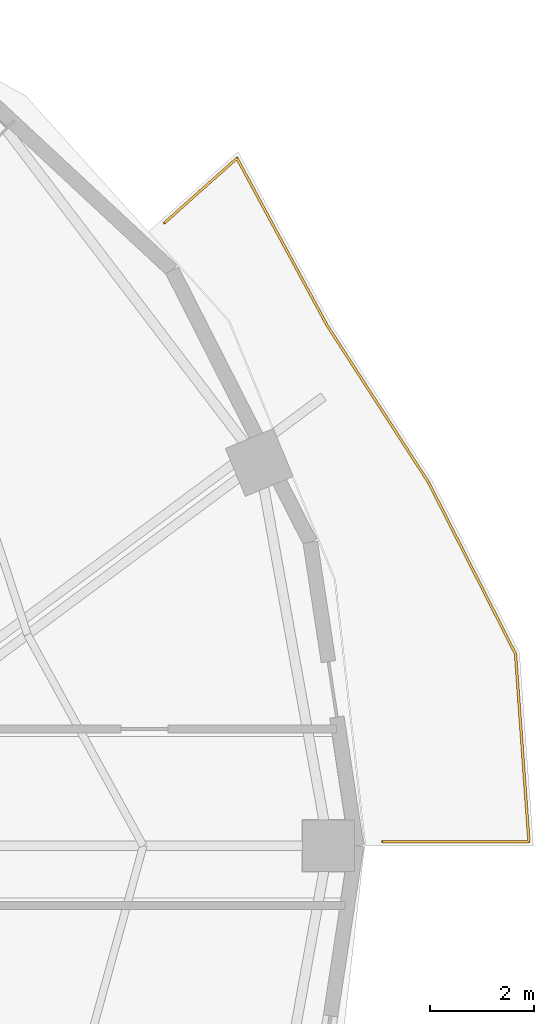
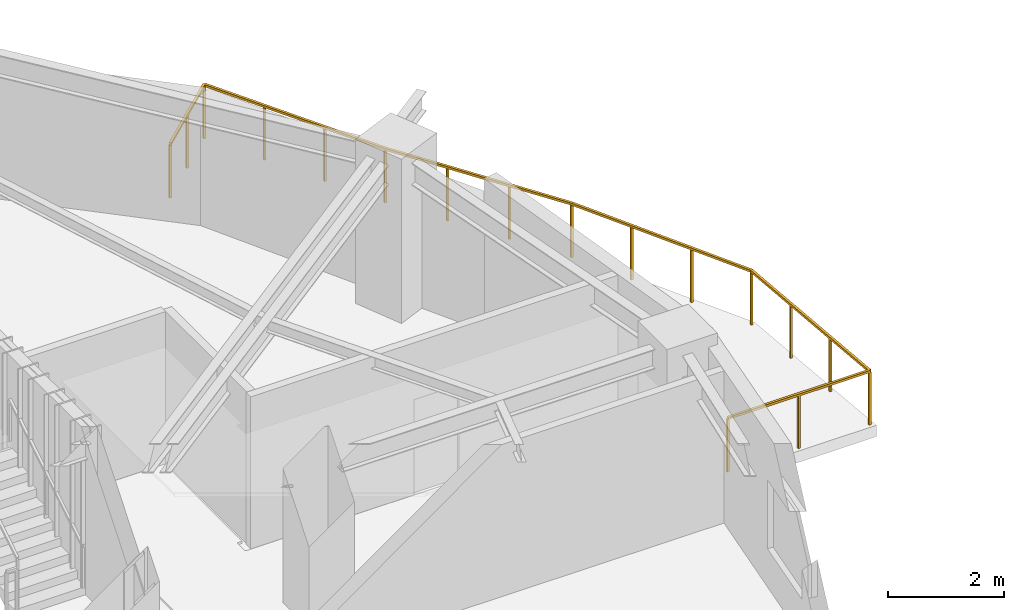
# One storey, part 10 of 10: 1 railing.
"""IFC4 building model written with IfcOpenShell, lengths in metres."""

from ifc_helpers import new_model, si_unit, direction, frame, origin, origin_2d, place, context, subcontext, project, spatial, rectangle, extrude, material, type_object, element, save


model = new_model("IFC4")

# Units and contexts
model_context = context("Model", 3, precision=1e-05, world=origin(), true_north=direction((0.0, 1.0)))
body_context = subcontext(model_context, "Body", "Model", "MODEL_VIEW")
ifc_project = project(units=[si_unit("LENGTHUNIT", "METRE"), si_unit("AREAUNIT", "SQUARE_METRE"), si_unit("VOLUMEUNIT", "CUBIC_METRE"), si_unit("PLANEANGLEUNIT", "RADIAN"), si_unit("MASSUNIT", "GRAM", prefix="KILO")], contexts=[model_context])

# Site, building, storey
site_placement = place(None, origin())
site = spatial("IfcSite", under=ifc_project, at=site_placement, CompositionType="ELEMENT")
building_placement = place(site_placement, origin())
building = spatial("IfcBuilding", under=site, at=building_placement, Name="Haldorwick Loom Tower", CompositionType="ELEMENT")
storey_placement = place(building_placement, frame((0.0, 0.0, 262.64990234375)))
storey = spatial("IfcBuildingStorey", under=building, at=storey_placement, Name="L71", CompositionType="ELEMENT", Elevation=262.64990234375)

# Railing
ifc_material = material(Name="Galvanized Steel CSA G40.21 350W", Category="steel")
railing_type = type_object("IfcRailingType", Name="ARC-RLG-BAL115", PredefinedType="BALUSTRADE", material=ifc_material)
railing_placement = place(storey_placement, frame((57.17919921875, 38.003173828125, 0.0)))
element("IfcRailing", 1, at=railing_placement, inside=storey, type_object=railing_type, Name="L71 Outdoor Terrace Guardrail SLB-L71-BAL_ENE-1", PredefinedType="BALUSTRADE", context=body_context, shape_type="SweptSolid", body=[
    extrude(rectangle(XDim=0.048095703125, YDim=0.048095703125, at=origin_2d()), frame((0.0, 0.0, 1.1259765625), z_axis=(0.745988621114, 0.665958690287, 0.0), x_axis=(-0.665958690287, 0.745988621114, 0.0)), (0.0, 0.0, 1.0), 1.8701171875),
    extrude(rectangle(XDim=0.048095703125, YDim=0.048095703125, at=origin_2d()), frame((1.39501953125, 1.245361328125, 1.1259765625), z_axis=(0.474672609217, -0.880162436178, 0.0), x_axis=(0.880162436178, 0.474672609217, 0.0)), (0.0, 0.0, 1.0), 3.659423828125),
    extrude(rectangle(XDim=0.048095703125, YDim=0.048095703125, at=origin_2d()), frame((3.132080078125, -1.9755859375, 1.1259765625), z_axis=(0.536875492193, -0.843661487732, 0.0), x_axis=(0.843661487732, 0.536875492193, 0.0)), (0.0, 0.0, 1.0), 0.00634765625),
    extrude(rectangle(XDim=0.048095703125, YDim=0.048095703125, at=origin_2d()), frame((3.135498046875, -1.98095703125, 1.1259765625), z_axis=(0.5425065035, -0.840051601784, 0.0), x_axis=(0.840051601784, 0.5425065035, 0.0)), (0.0, 0.0, 1.0), 3.602783203125),
    extrude(rectangle(XDim=0.048095703125, YDim=0.048095703125, at=origin_2d()), frame((5.090087890625, -5.007568359375, 1.1259765625), z_axis=(0.452144789899, -0.891944554873, 0.0), x_axis=(0.891944554873, 0.452144789899, 0.0)), (0.0, 0.0, 1.0), 3.6982421875),
    extrude(rectangle(XDim=0.048095703125, YDim=0.048095703125, at=origin_2d()), frame((6.76220703125, -8.30615234375, 1.1259765625), z_axis=(0.071567614101, -0.997435750618, 0.0), x_axis=(0.997435750618, 0.071567614101, 0.0)), (0.0, 0.0, 1.0), 3.626220703125),
    extrude(rectangle(XDim=0.048095703125, YDim=0.048095703125, at=origin_2d()), frame((7.021728515625, -11.923095703125, 1.1259765625), z_axis=(-1.0, 0.0, 0.0), x_axis=(0.0, -1.0, 0.0)), (0.0, 0.0, 1.0), 2.821044921875),
    extrude(rectangle(XDim=0.0419921875, YDim=0.0419921875, at=origin_2d()), origin(), (0.0, 0.0, 1.0), 1.101806640625),
    extrude(rectangle(XDim=0.0419921875, YDim=0.0419921875, at=origin_2d()), frame((0.697509765625, 0.62255859375, 0.0)), (0.0, 0.0, 1.0), 1.101806640625),
    extrude(rectangle(XDim=0.0419921875, YDim=0.0419921875, at=origin_2d()), frame((1.39501953125, 1.245361328125, 0.0)), (0.0, 0.0, 1.0), 1.101806640625),
    extrude(rectangle(XDim=0.0419921875, YDim=0.0419921875, at=origin_2d()), frame((1.97412109375, 0.171630859375, 0.0)), (0.0, 0.0, 1.0), 1.101806640625),
    extrude(rectangle(XDim=0.0419921875, YDim=0.0419921875, at=origin_2d()), frame((2.552978515625, -0.90185546875, 0.0)), (0.0, 0.0, 1.0), 1.101806640625),
    extrude(rectangle(XDim=0.0419921875, YDim=0.0419921875, at=origin_2d()), frame((3.132080078125, -1.9755859375, 0.0)), (0.0, 0.0, 1.0), 1.101806640625),
    extrude(rectangle(XDim=0.0419921875, YDim=0.0419921875, at=origin_2d()), frame((3.787109375, -2.98974609375, 0.0)), (0.0, 0.0, 1.0), 1.101806640625),
    extrude(rectangle(XDim=0.0419921875, YDim=0.0419921875, at=origin_2d()), frame((4.4384765625, -3.998779296875, 0.0)), (0.0, 0.0, 1.0), 1.101806640625),
    extrude(rectangle(XDim=0.0419921875, YDim=0.0419921875, at=origin_2d()), frame((5.090087890625, -5.007568359375, 0.0)), (0.0, 0.0, 1.0), 1.101806640625),
    extrude(rectangle(XDim=0.0419921875, YDim=0.0419921875, at=origin_2d()), frame((5.6474609375, -6.107177734375, 0.0)), (0.0, 0.0, 1.0), 1.101806640625),
    extrude(rectangle(XDim=0.0419921875, YDim=0.0419921875, at=origin_2d()), frame((6.204833984375, -7.20654296875, 0.0)), (0.0, 0.0, 1.0), 1.101806640625),
    extrude(rectangle(XDim=0.0419921875, YDim=0.0419921875, at=origin_2d()), frame((6.76220703125, -8.30615234375, 0.0)), (0.0, 0.0, 1.0), 1.101806640625),
    extrude(rectangle(XDim=0.0419921875, YDim=0.0419921875, at=origin_2d()), frame((6.8486328125, -9.51171875, 0.0)), (0.0, 0.0, 1.0), 1.101806640625),
    extrude(rectangle(XDim=0.0419921875, YDim=0.0419921875, at=origin_2d()), frame((6.935302734375, -10.717529296875, 0.0)), (0.0, 0.0, 1.0), 1.101806640625),
    extrude(rectangle(XDim=0.0419921875, YDim=0.0419921875, at=origin_2d()), frame((7.021728515625, -11.923095703125, 0.0)), (0.0, 0.0, 1.0), 1.101806640625),
    extrude(rectangle(XDim=0.0419921875, YDim=0.0419921875, at=origin_2d()), frame((5.611328125, -11.923095703125, 0.0)), (0.0, 0.0, 1.0), 1.101806640625),
    extrude(rectangle(XDim=0.0419921875, YDim=0.0419921875, at=origin_2d()), frame((4.20068359375, -11.923095703125, 0.0)), (0.0, 0.0, 1.0), 1.101806640625),
])

save(model, "model.ifc")
